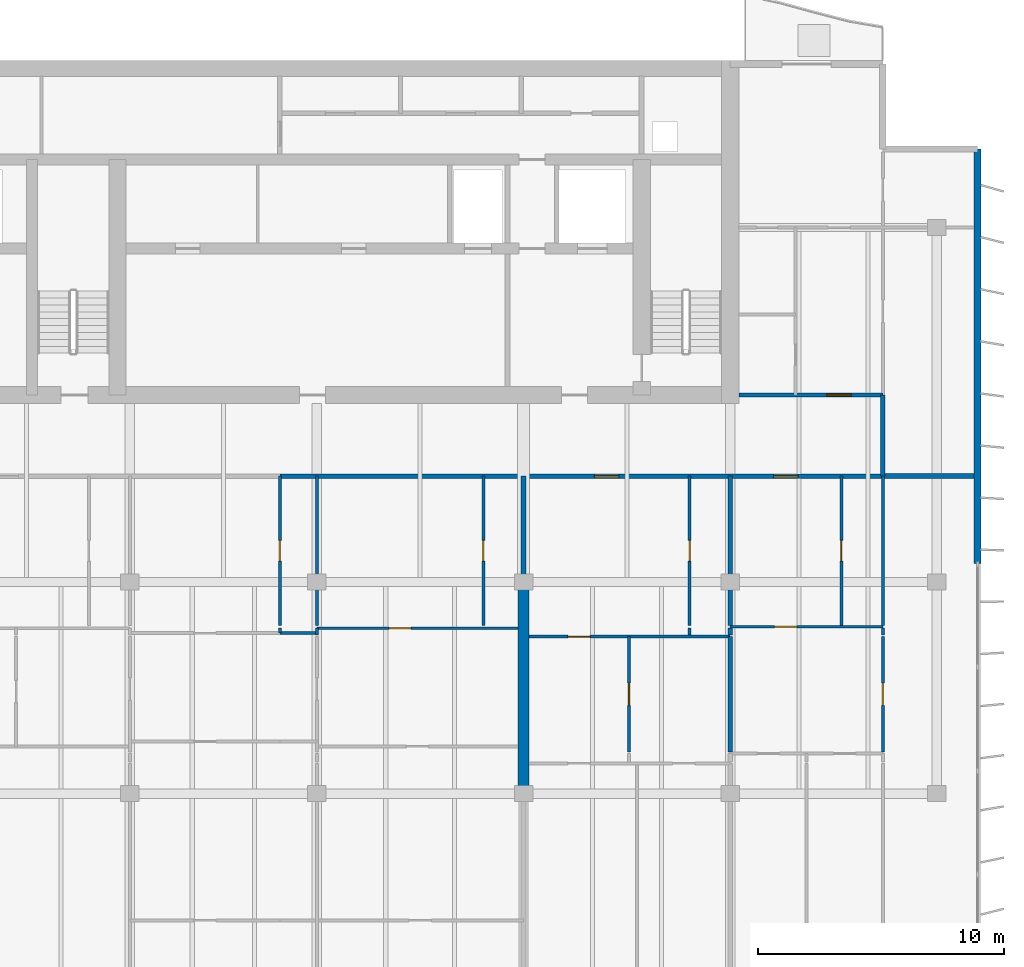
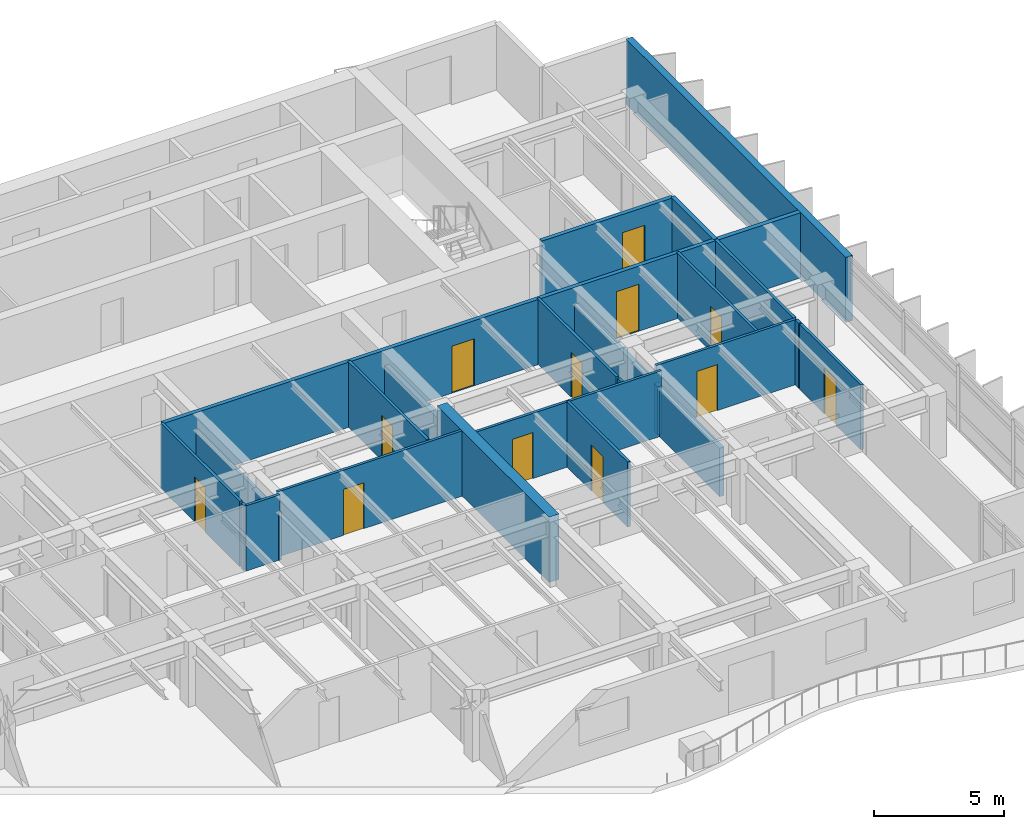
# One storey, part 9 of 17: 26 walls, 12 doors, 12 openings.
"""IFC4 building model written with IfcOpenShell, lengths in metres."""

from ifc_helpers import new_model, si_unit, direction, frame, frame_2d, origin, place, context, subcontext, project, spatial, rectangle, extrude, material, layer, layer_set, type_object, element, fill, save


model = new_model("IFC4")

# Units and contexts
model_context = context("Model", 3, precision=1e-05, world=origin(), true_north=direction((0.0, 1.0)))
body_context = subcontext(model_context, "Body", "Model", "MODEL_VIEW")
ifc_project = project(units=[si_unit("LENGTHUNIT", "METRE"), si_unit("AREAUNIT", "SQUARE_METRE"), si_unit("VOLUMEUNIT", "CUBIC_METRE"), si_unit("PLANEANGLEUNIT", "RADIAN"), si_unit("MASSUNIT", "GRAM", prefix="KILO")], contexts=[model_context])

# Site, building, storey
site_placement = place(None, origin())
site = spatial("IfcSite", under=ifc_project, at=site_placement, CompositionType="ELEMENT")
building_placement = place(site_placement, origin())
building = spatial("IfcBuilding", under=site, at=building_placement, Name="Caelmar Bay Residences", CompositionType="ELEMENT")
storey_placement = place(building_placement, frame((0.0, 0.0, 243.0)))
storey = spatial("IfcBuildingStorey", under=building, at=storey_placement, Name="L68", CompositionType="ELEMENT", Elevation=243.0)

# Walls
ifc_material_1 = material(Name="Concrete f'c 55 MPa (8,000 psi)", Category="concrete")
ifc_layer_1 = layer(ifc_material_1, 0.449951171875)
ifc_layer_set_1 = layer_set([ifc_layer_1], Name="Concrete f'c 55 MPa (8,000 psi)")
wall_type_1 = type_object("IfcWallType", Name="SW-XSLB-450", PredefinedType="SHEAR", material=ifc_layer_set_1)
wall_1_placement = place(storey_placement, frame((51.10009765625, 20.800048828125, 0.0), z_axis=(0.0, 0.0, 1.0), x_axis=(0.0, 1.0, 0.0)))
element("IfcWall", 1, at=wall_1_placement, inside=storey, type_object=wall_type_1, Name="L68 Transverse Cross-Slab Shear Wall E8", PredefinedType="SHEAR", context=body_context, shape_type="SweptSolid", body=[
    extrude(rectangle(XDim=8.599853515625, YDim=0.449951171875, at=frame_2d((4.2998046875, 0.0))), origin(), (0.0, 0.0, 1.0), 3.050048828125),
])
ifc_material_2 = material(Name="Double-stud acoustic fire-rated gypsum partition 180 mm")
ifc_layer_2 = layer(ifc_material_2, 0.179931640625)
ifc_layer_set_2 = layer_set([ifc_layer_2], Name="Double-stud acoustic fire-rated gypsum partition 180 mm")
wall_type_2 = type_object("IfcWallType", Name="W-COR-200", PredefinedType="PARTITIONING", material=ifc_layer_set_2)
wall_2_placement = place(storey_placement, frame((65.699951171875, 33.705078125, 0.0), z_axis=(0.0, 0.0, 1.0), x_axis=(0.0, 1.0, 0.0)))
element("IfcWall", 2, at=wall_2_placement, inside=storey, type_object=wall_type_2, Name="L68 Partition Wall V087", PredefinedType="PARTITIONING", context=body_context, shape_type="SweptSolid", body=[
    extrude(rectangle(XDim=3.294921875, YDim=0.179931640625, at=frame_2d((1.6474609375, 0.0))), origin(), (0.0, 0.0, 1.0), 3.050048828125),
])

# Wall, openings, doors
wall_3_placement = place(storey_placement, frame((41.199951171875, 33.699951171875, 0.0), z_axis=(0.0, 0.0, 1.0), x_axis=(1.0, 0.0, 0.0)))
wall_3 = element("IfcWall", 3, at=wall_3_placement, inside=storey, type_object=wall_type_2, Name="L68 Partition Wall H112", PredefinedType="PARTITIONING", context=body_context, shape_type="SweptSolid", body=[
    extrude(rectangle(XDim=24.5, YDim=0.179931640625, at=frame_2d((12.25, 0.0))), origin(), (0.0, 0.0, 1.0), 3.050048828125),
])
opening_1_placement = place(wall_3_placement, frame((12.77490234375, 0.0, 0.0)))
opening_1 = element("IfcOpeningElement", 4, at=opening_1_placement, cuts=wall_3, Name="Opening D-L68-149", PredefinedType="OPENING", context=body_context, shape_type="SweptSolid", body=[
    extrude(rectangle(XDim=1.0, YDim=2.199951171875, at=frame_2d((0.5, 1.10009765625))), frame((0.0, 0.099853515625, 0.0), z_axis=(0.0, -1.0, 0.0), x_axis=(1.0, 0.0, 0.0)), (0.0, 0.0, 1.0), 0.199951171875),
])
opening_2_placement = place(wall_3_placement, frame((20.05859375, 0.0, 0.0)))
opening_2 = element("IfcOpeningElement", 5, at=opening_2_placement, cuts=wall_3, Name="Opening D-L68-155", PredefinedType="OPENING", context=body_context, shape_type="SweptSolid", body=[
    extrude(rectangle(XDim=1.0, YDim=2.199951171875, at=frame_2d((0.5, 1.10009765625))), frame((0.0, 0.099853515625, 0.0), z_axis=(0.0, -1.0, 0.0), x_axis=(1.0, 0.0, 0.0)), (0.0, 0.0, 1.0), 0.199951171875),
])
ifc_material_3 = material(Name="Fire-rated steel and walnut architectural door assembly", Category="steel")
ifc_layer_3 = layer(ifc_material_3, 0.050048828125)
ifc_layer_set_3 = layer_set([ifc_layer_3], Name="Fire-rated steel and walnut architectural door assembly")
door_type_1 = type_object("IfcDoorType", Name="D-UNIT-1000", OperationType="NOTDEFINED", PredefinedType="DOOR", material=ifc_layer_set_3)
door_1_placement = place(opening_1_placement, origin())
door_1 = element("IfcDoor", 6, at=door_1_placement, inside=storey, type_object=door_type_1, Name="L68 Residence 04 Apartment Hall Door", OperationType="SINGLE_SWING_LEFT", OverallHeight=2.199951171875, OverallWidth=1.0, PredefinedType="DOOR", context=body_context, shape_type="SweptSolid", body=[
    extrude(rectangle(XDim=1.0, YDim=2.199951171875, at=frame_2d((0.5, 1.10009765625))), frame((0.0, 0.02490234375, 0.0), z_axis=(0.0, -1.0, 0.0), x_axis=(1.0, 0.0, 0.0)), (0.0, 0.0, 1.0), 0.050048828125),
])
fill(opening_1, door_1)
door_2_placement = place(opening_2_placement, origin())
door_2 = element("IfcDoor", 7, at=door_2_placement, inside=storey, type_object=door_type_1, Name="L68 Residence 05 Apartment Hall Door", OperationType="SINGLE_SWING_LEFT", OverallHeight=2.199951171875, OverallWidth=1.0, PredefinedType="DOOR", context=body_context, shape_type="SweptSolid", body=[
    extrude(rectangle(XDim=1.0, YDim=2.199951171875, at=frame_2d((0.5, 1.10009765625))), frame((0.0, 0.02490234375, 0.0), z_axis=(0.0, -1.0, 0.0), x_axis=(1.0, 0.0, 0.0)), (0.0, 0.0, 1.0), 0.050048828125),
])
fill(opening_2, door_2)

# Wall, opening, door
wall_4_placement = place(storey_placement, frame((59.85498046875, 37.0, 0.0), z_axis=(0.0, 0.0, 1.0), x_axis=(1.0, 0.0, 0.0)))
wall_4 = element("IfcWall", 8, at=wall_4_placement, inside=storey, type_object=wall_type_2, Name="L68 Partition Wall H116", PredefinedType="PARTITIONING", context=body_context, shape_type="SweptSolid", body=[
    extrude(rectangle(XDim=5.844970703125, YDim=0.179931640625, at=frame_2d((2.92236328125, 0.0))), origin(), (0.0, 0.0, 1.0), 3.050048828125),
])
opening_3_placement = place(wall_4_placement, frame((3.570068359375, 0.0, 0.0)))
opening_3 = element("IfcOpeningElement", 9, at=opening_3_placement, cuts=wall_4, Name="Opening D-L68-168", PredefinedType="OPENING", context=body_context, shape_type="SweptSolid", body=[
    extrude(rectangle(XDim=1.0, YDim=2.199951171875, at=frame_2d((0.5, 1.10009765625))), frame((0.0, 0.099853515625, 0.0), z_axis=(0.0, -1.0, 0.0), x_axis=(1.0, 0.0, 0.0)), (0.0, 0.0, 1.0), 0.199951171875),
])
door_3_placement = place(opening_3_placement, origin())
door_3 = element("IfcDoor", 10, at=door_3_placement, inside=storey, type_object=door_type_1, Name="L68 Residence EA Kitchen Door", OperationType="SINGLE_SWING_RIGHT", OverallHeight=2.199951171875, OverallWidth=1.0, PredefinedType="DOOR", context=body_context, shape_type="SweptSolid", body=[
    extrude(rectangle(XDim=1.0, YDim=2.199951171875, at=frame_2d((0.5, 1.10009765625))), frame((0.0, 0.02490234375, 0.0), z_axis=(0.0, -1.0, 0.0), x_axis=(1.0, 0.0, 0.0)), (0.0, 0.0, 1.0), 0.050048828125),
])
fill(opening_3, door_3)

# Walls
ifc_material_4 = material(Name="Precast concrete f'c 40 MPa (6,000 psi)", Category="concrete")
ifc_layer_4 = layer(ifc_material_4, 0.300048828125)
ifc_layer_set_4 = layer_set([ifc_layer_4], Name="Precast concrete f'c 40 MPa (6,000 psi)")
wall_type_3 = type_object("IfcWallType", Name="W-EXT-300", PredefinedType="STANDARD", material=ifc_layer_set_4)
wall_5_placement = place(storey_placement, frame((69.550048828125, 47.0, 0.0), z_axis=(0.0, 0.0, 1.0), x_axis=(0.0, -1.0, 0.0)))
element("IfcWall", 11, at=wall_5_placement, inside=storey, type_object=wall_type_3, Name="L68 East Rear Exterior Wall", PredefinedType="STANDARD", context=body_context, shape_type="SweptSolid", body=[
    extrude(rectangle(XDim=16.85009765625, YDim=0.300048828125, at=frame_2d((8.425048828125, 0.0))), origin(), (0.0, 0.0, 1.0), 3.050048828125),
])
ifc_material_5 = material(Name="Acoustic metal-stud gypsum partition 120 mm")
ifc_layer_5 = layer(ifc_material_5, 0.1201171875)
ifc_layer_set_5 = layer_set([ifc_layer_5], Name="Acoustic metal-stud gypsum partition 120 mm")
wall_type_4 = type_object("IfcWallType", Name="W-PRT-120", PredefinedType="PARTITIONING", material=ifc_layer_set_5)
wall_6_placement = place(storey_placement, frame((41.195068359375, 27.320068359375, 0.0), z_axis=(0.0, 0.0, 1.0), x_axis=(0.0, 1.0, 0.0)))
element("IfcWall", 12, at=wall_6_placement, inside=storey, type_object=wall_type_4, Name="L68 Partition Wall V045", PredefinedType="PARTITIONING", context=body_context, shape_type="SweptSolid", body=[
    extrude(rectangle(XDim=0.199951171875, YDim=0.1201171875, at=frame_2d((0.10009765625, 0.0))), origin(), (0.0, 0.0, 1.0), 3.050048828125),
])

# Wall, opening, door
wall_7_placement = place(storey_placement, frame((41.195068359375, 27.639892578125, 0.0), z_axis=(0.0, 0.0, 1.0), x_axis=(0.0, 1.0, 0.0)))
wall_7 = element("IfcWall", 13, at=wall_7_placement, inside=storey, type_object=wall_type_4, Name="L68 Partition Wall V046", PredefinedType="PARTITIONING", context=body_context, shape_type="SweptSolid", body=[
    extrude(rectangle(XDim=6.06005859375, YDim=0.1201171875, at=frame_2d((3.030029296875, 0.0))), origin(), (0.0, 0.0, 1.0), 3.050048828125),
])
opening_4_placement = place(wall_7_placement, frame((2.60498046875, 0.0, 0.0)))
opening_4 = element("IfcOpeningElement", 14, at=opening_4_placement, cuts=wall_7, Name="Opening D-L68-141", PredefinedType="OPENING", context=body_context, shape_type="SweptSolid", body=[
    extrude(rectangle(XDim=0.85009765625, YDim=2.10009765625, at=frame_2d((0.425048828125, 1.050048828125))), frame((0.0, 0.070068359375, 0.0), z_axis=(0.0, -1.0, 0.0), x_axis=(1.0, 0.0, 0.0)), (0.0, 0.0, 1.0), 0.14013671875),
])
ifc_material_6 = material(Name="Solid walnut timber interior door leaf and frame", Category="wood")
ifc_layer_6 = layer(ifc_material_6, 0.050048828125)
ifc_layer_set_6 = layer_set([ifc_layer_6], Name="Solid walnut timber interior door leaf and frame")
door_type_2 = type_object("IfcDoorType", Name="D-BATH-850", OperationType="NOTDEFINED", PredefinedType="DOOR", material=ifc_layer_set_6)
door_4_placement = place(opening_4_placement, origin())
door_4 = element("IfcDoor", 15, at=door_4_placement, inside=storey, type_object=door_type_2, Name="L68 Residence 03 En-Suite Bathroom 1 Door", OperationType="SINGLE_SWING_LEFT", OverallHeight=2.10009765625, OverallWidth=0.85009765625, PredefinedType="DOOR", context=body_context, shape_type="SweptSolid", body=[
    extrude(rectangle(XDim=0.85009765625, YDim=2.10009765625, at=frame_2d((0.425048828125, 1.050048828125))), frame((0.0, 0.02490234375, 0.0), z_axis=(0.0, -1.0, 0.0), x_axis=(1.0, 0.0, 0.0)), (0.0, 0.0, 1.0), 0.050048828125),
])
fill(opening_4, door_4)

# Walls
wall_8_placement = place(storey_placement, frame((42.699951171875, 27.239990234375, 0.0), z_axis=(0.0, 0.0, 1.0), x_axis=(0.0, 1.0, 0.0)))
element("IfcWall", 16, at=wall_8_placement, inside=storey, type_object=wall_type_4, Name="L68 Partition Wall V052", PredefinedType="PARTITIONING", context=body_context, shape_type="SweptSolid", body=[
    extrude(rectangle(XDim=0.280029296875, YDim=0.1201171875, at=frame_2d((0.14013671875, 0.0))), origin(), (0.0, 0.0, 1.0), 2.262939453125),
])
wall_9_placement = place(storey_placement, frame((42.699951171875, 27.639892578125, 0.0), z_axis=(0.0, 0.0, 1.0), x_axis=(0.0, 1.0, 0.0)))
element("IfcWall", 17, at=wall_9_placement, inside=storey, type_object=wall_type_4, Name="L68 Partition Wall V053", PredefinedType="PARTITIONING", context=body_context, shape_type="SweptSolid", body=[
    extrude(rectangle(XDim=6.06005859375, YDim=0.1201171875, at=frame_2d((3.030029296875, 0.0))), origin(), (0.0, 0.0, 1.0), 2.262939453125),
])

# Wall, opening, door
wall_10_placement = place(storey_placement, frame((49.466064453125, 27.639892578125, 0.0), z_axis=(0.0, 0.0, 1.0), x_axis=(0.0, 1.0, 0.0)))
wall_10 = element("IfcWall", 18, at=wall_10_placement, inside=storey, type_object=wall_type_4, Name="L68 Partition Wall V056", PredefinedType="PARTITIONING", context=body_context, shape_type="SweptSolid", body=[
    extrude(rectangle(XDim=6.06005859375, YDim=0.1201171875, at=frame_2d((3.030029296875, 0.0))), origin(), (0.0, 0.0, 1.0), 3.050048828125),
])
opening_5_placement = place(wall_10_placement, frame((2.60498046875, 0.0, 0.0)))
opening_5 = element("IfcOpeningElement", 19, at=opening_5_placement, cuts=wall_10, Name="Opening D-L68-146", PredefinedType="OPENING", context=body_context, shape_type="SweptSolid", body=[
    extrude(rectangle(XDim=0.85009765625, YDim=2.10009765625, at=frame_2d((0.425048828125, 1.050048828125))), frame((0.0, 0.070068359375, 0.0), z_axis=(0.0, -1.0, 0.0), x_axis=(1.0, 0.0, 0.0)), (0.0, 0.0, 1.0), 0.14013671875),
])
door_5_placement = place(opening_5_placement, origin())
door_5 = element("IfcDoor", 20, at=door_5_placement, inside=storey, type_object=door_type_2, Name="L68 Residence 03 En-Suite Bathroom 2 Door", OperationType="SINGLE_SWING_RIGHT", OverallHeight=2.10009765625, OverallWidth=0.85009765625, PredefinedType="DOOR", context=body_context, shape_type="SweptSolid", body=[
    extrude(rectangle(XDim=0.85009765625, YDim=2.10009765625, at=frame_2d((0.425048828125, 1.050048828125))), frame((0.0, 0.02490234375, 0.0), z_axis=(0.0, -1.0, 0.0), x_axis=(1.0, 0.0, 0.0)), (0.0, 0.0, 1.0), 0.050048828125),
])
fill(opening_5, door_5)

wall_11_placement = place(storey_placement, frame((55.385986328125, 22.489990234375, 0.0), z_axis=(0.0, 0.0, 1.0), x_axis=(0.0, 1.0, 0.0)))
wall_11 = element("IfcWall", 21, at=wall_11_placement, inside=storey, type_object=wall_type_4, Name="L68 Partition Wall V065", PredefinedType="PARTITIONING", context=body_context, shape_type="SweptSolid", body=[
    extrude(rectangle(XDim=4.68994140625, YDim=0.1201171875, at=frame_2d((2.344970703125, 0.0))), origin(), (0.0, 0.0, 1.0), 3.050048828125),
])
opening_6_placement = place(wall_11_placement, frame((1.89501953125, 0.0, 0.0)))
opening_6 = element("IfcOpeningElement", 22, at=opening_6_placement, cuts=wall_11, Name="Opening D-L68-152", PredefinedType="OPENING", context=body_context, shape_type="SweptSolid", body=[
    extrude(rectangle(XDim=0.89990234375, YDim=2.14990234375, at=frame_2d((0.449951171875, 1.074951171875))), frame((0.0, 0.070068359375, 0.0), z_axis=(0.0, -1.0, 0.0), x_axis=(1.0, 0.0, 0.0)), (0.0, 0.0, 1.0), 0.14013671875),
])
ifc_layer_7 = layer(ifc_material_6, 0.050048828125)
ifc_layer_set_7 = layer_set([ifc_layer_7], Name="Solid walnut timber interior door leaf and frame")
door_type_3 = type_object("IfcDoorType", Name="D-ROOM-900", OperationType="NOTDEFINED", PredefinedType="DOOR", material=ifc_layer_set_7)
door_6_placement = place(opening_6_placement, origin())
door_6 = element("IfcDoor", 23, at=door_6_placement, inside=storey, type_object=door_type_3, Name="L68 Residence 04 Formal Dining Room Door", OperationType="SINGLE_SWING_RIGHT", OverallHeight=2.14990234375, OverallWidth=0.89990234375, PredefinedType="DOOR", context=body_context, shape_type="SweptSolid", body=[
    extrude(rectangle(XDim=0.89990234375, YDim=2.14990234375, at=frame_2d((0.449951171875, 1.074951171875))), frame((0.0, 0.02490234375, 0.0), z_axis=(0.0, -1.0, 0.0), x_axis=(1.0, 0.0, 0.0)), (0.0, 0.0, 1.0), 0.050048828125),
])
fill(opening_6, door_6)

# Wall
wall_12_placement = place(storey_placement, frame((57.85009765625, 27.239990234375, 0.0), z_axis=(0.0, 0.0, 1.0), x_axis=(0.0, 1.0, 0.0)))
element("IfcWall", 24, at=wall_12_placement, inside=storey, type_object=wall_type_4, Name="L68 Partition Wall V069", PredefinedType="PARTITIONING", context=body_context, shape_type="SweptSolid", body=[
    extrude(rectangle(XDim=0.280029296875, YDim=0.1201171875, at=frame_2d((0.14013671875, 0.0))), origin(), (0.0, 0.0, 1.0), 3.050048828125),
])

# Wall, opening, door
wall_13_placement = place(storey_placement, frame((57.85009765625, 27.639892578125, 0.0), z_axis=(0.0, 0.0, 1.0), x_axis=(0.0, 1.0, 0.0)))
wall_13 = element("IfcWall", 25, at=wall_13_placement, inside=storey, type_object=wall_type_4, Name="L68 Partition Wall V070", PredefinedType="PARTITIONING", context=body_context, shape_type="SweptSolid", body=[
    extrude(rectangle(XDim=6.06005859375, YDim=0.1201171875, at=frame_2d((3.030029296875, 0.0))), origin(), (0.0, 0.0, 1.0), 3.050048828125),
])
opening_7_placement = place(wall_13_placement, frame((2.60498046875, 0.0, 0.0)))
opening_7 = element("IfcOpeningElement", 26, at=opening_7_placement, cuts=wall_13, Name="Opening D-L68-150", PredefinedType="OPENING", context=body_context, shape_type="SweptSolid", body=[
    extrude(rectangle(XDim=0.85009765625, YDim=2.10009765625, at=frame_2d((0.425048828125, 1.050048828125))), frame((0.0, 0.070068359375, 0.0), z_axis=(0.0, -1.0, 0.0), x_axis=(1.0, 0.0, 0.0)), (0.0, 0.0, 1.0), 0.14013671875),
])
door_7_placement = place(opening_7_placement, origin())
door_7 = element("IfcDoor", 27, at=door_7_placement, inside=storey, type_object=door_type_2, Name="L68 Residence 04 Bathroom Door", OperationType="SINGLE_SWING_RIGHT", OverallHeight=2.10009765625, OverallWidth=0.85009765625, PredefinedType="DOOR", context=body_context, shape_type="SweptSolid", body=[
    extrude(rectangle(XDim=0.85009765625, YDim=2.10009765625, at=frame_2d((0.425048828125, 1.050048828125))), frame((0.0, 0.02490234375, 0.0), z_axis=(0.0, -1.0, 0.0), x_axis=(1.0, 0.0, 0.0)), (0.0, 0.0, 1.0), 0.050048828125),
])
fill(opening_7, door_7)

wall_14_placement = place(storey_placement, frame((64.01708984375, 27.639892578125, 0.0), z_axis=(0.0, 0.0, 1.0), x_axis=(0.0, 1.0, 0.0)))
wall_14 = element("IfcWall", 28, at=wall_14_placement, inside=storey, type_object=wall_type_4, Name="L68 Partition Wall V081", PredefinedType="PARTITIONING", context=body_context, shape_type="SweptSolid", body=[
    extrude(rectangle(XDim=6.06005859375, YDim=0.1201171875, at=frame_2d((3.030029296875, 0.0))), origin(), (0.0, 0.0, 1.0), 3.050048828125),
])
opening_8_placement = place(wall_14_placement, frame((2.60498046875, 0.0, 0.0)))
opening_8 = element("IfcOpeningElement", 29, at=opening_8_placement, cuts=wall_14, Name="Opening D-L68-156", PredefinedType="OPENING", context=body_context, shape_type="SweptSolid", body=[
    extrude(rectangle(XDim=0.85009765625, YDim=2.10009765625, at=frame_2d((0.425048828125, 1.050048828125))), frame((0.0, 0.070068359375, 0.0), z_axis=(0.0, -1.0, 0.0), x_axis=(1.0, 0.0, 0.0)), (0.0, 0.0, 1.0), 0.14013671875),
])
door_8_placement = place(opening_8_placement, origin())
door_8 = element("IfcDoor", 30, at=door_8_placement, inside=storey, type_object=door_type_2, Name="L68 Residence 05 Bathroom Door", OperationType="SINGLE_SWING_RIGHT", OverallHeight=2.10009765625, OverallWidth=0.85009765625, PredefinedType="DOOR", context=body_context, shape_type="SweptSolid", body=[
    extrude(rectangle(XDim=0.85009765625, YDim=2.10009765625, at=frame_2d((0.425048828125, 1.050048828125))), frame((0.0, 0.02490234375, 0.0), z_axis=(0.0, -1.0, 0.0), x_axis=(1.0, 0.0, 0.0)), (0.0, 0.0, 1.0), 0.050048828125),
])
fill(opening_8, door_8)

wall_15_placement = place(storey_placement, frame((65.699951171875, 22.489990234375, 0.0), z_axis=(0.0, 0.0, 1.0), x_axis=(0.0, 1.0, 0.0)))
wall_15 = element("IfcWall", 31, at=wall_15_placement, inside=storey, type_object=wall_type_4, Name="L68 Partition Wall V084", PredefinedType="PARTITIONING", context=body_context, shape_type="SweptSolid", body=[
    extrude(rectangle(XDim=4.68994140625, YDim=0.1201171875, at=frame_2d((2.344970703125, 0.0))), origin(), (0.0, 0.0, 1.0), 3.050048828125),
])
opening_9_placement = place(wall_15_placement, frame((1.89501953125, 0.0, 0.0)))
opening_9 = element("IfcOpeningElement", 32, at=opening_9_placement, cuts=wall_15, Name="Opening D-L68-161", PredefinedType="OPENING", context=body_context, shape_type="SweptSolid", body=[
    extrude(rectangle(XDim=0.89990234375, YDim=2.14990234375, at=frame_2d((0.449951171875, 1.074951171875))), frame((0.0, 0.070068359375, 0.0), z_axis=(0.0, -1.0, 0.0), x_axis=(1.0, 0.0, 0.0)), (0.0, 0.0, 1.0), 0.14013671875),
])
door_9_placement = place(opening_9_placement, origin())
door_9 = element("IfcDoor", 33, at=door_9_placement, inside=storey, type_object=door_type_3, Name="L68 Residence 05 Penthouse East Salon Door", OperationType="SINGLE_SWING_LEFT", OverallHeight=2.14990234375, OverallWidth=0.89990234375, PredefinedType="DOOR", context=body_context, shape_type="SweptSolid", body=[
    extrude(rectangle(XDim=0.89990234375, YDim=2.14990234375, at=frame_2d((0.449951171875, 1.074951171875))), frame((0.0, 0.02490234375, 0.0), z_axis=(0.0, -1.0, 0.0), x_axis=(1.0, 0.0, 0.0)), (0.0, 0.0, 1.0), 0.050048828125),
])
fill(opening_9, door_9)

# Walls
wall_16_placement = place(storey_placement, frame((65.699951171875, 27.239990234375, 0.0), z_axis=(0.0, 0.0, 1.0), x_axis=(0.0, 1.0, 0.0)))
element("IfcWall", 34, at=wall_16_placement, inside=storey, type_object=wall_type_4, Name="L68 Partition Wall V085", PredefinedType="PARTITIONING", context=body_context, shape_type="SweptSolid", body=[
    extrude(rectangle(XDim=0.280029296875, YDim=0.1201171875, at=frame_2d((0.14013671875, 0.0))), origin(), (0.0, 0.0, 1.0), 3.050048828125),
])
wall_17_placement = place(storey_placement, frame((65.699951171875, 27.639892578125, 0.0), z_axis=(0.0, 0.0, 1.0), x_axis=(0.0, 1.0, 0.0)))
element("IfcWall", 35, at=wall_17_placement, inside=storey, type_object=wall_type_4, Name="L68 Partition Wall V086", PredefinedType="PARTITIONING", context=body_context, shape_type="SweptSolid", body=[
    extrude(rectangle(XDim=6.06005859375, YDim=0.1201171875, at=frame_2d((3.030029296875, 0.0))), origin(), (0.0, 0.0, 1.0), 3.050048828125),
])

# Wall, opening, door
wall_18_placement = place(storey_placement, frame((51.320068359375, 27.179931640625, 0.0), z_axis=(0.0, 0.0, 1.0), x_axis=(1.0, 0.0, 0.0)))
wall_18 = element("IfcWall", 36, at=wall_18_placement, inside=storey, type_object=wall_type_4, Name="L68 Partition Wall H100", PredefinedType="PARTITIONING", context=body_context, shape_type="SweptSolid", body=[
    extrude(rectangle(XDim=8.179931640625, YDim=0.1201171875, at=frame_2d((4.08984375, 0.0))), origin(), (0.0, 0.0, 1.0), 3.050048828125),
])
opening_10_placement = place(wall_18_placement, frame((1.5830078125, 0.0, 0.0)))
opening_10 = element("IfcOpeningElement", 37, at=opening_10_placement, cuts=wall_18, Name="Opening D-L68-151", PredefinedType="OPENING", context=body_context, shape_type="SweptSolid", body=[
    extrude(rectangle(XDim=0.89990234375, YDim=2.14990234375, at=frame_2d((0.449951171875, 1.074951171875))), frame((0.0, 0.070068359375, 0.0), z_axis=(0.0, -1.0, 0.0), x_axis=(1.0, 0.0, 0.0)), (0.0, 0.0, 1.0), 0.14013671875),
])
door_10_placement = place(opening_10_placement, origin())
door_10 = element("IfcDoor", 38, at=door_10_placement, inside=storey, type_object=door_type_3, Name="L68 Residence 04 Kitchen Door", OperationType="SINGLE_SWING_LEFT", OverallHeight=2.14990234375, OverallWidth=0.89990234375, PredefinedType="DOOR", context=body_context, shape_type="SweptSolid", body=[
    extrude(rectangle(XDim=0.89990234375, YDim=2.14990234375, at=frame_2d((0.449951171875, 1.074951171875))), frame((0.0, 0.02490234375, 0.0), z_axis=(0.0, -1.0, 0.0), x_axis=(1.0, 0.0, 0.0)), (0.0, 0.0, 1.0), 0.050048828125),
])
fill(opening_10, door_10)

# Wall
wall_19_placement = place(storey_placement, frame((41.199951171875, 27.320068359375, 0.0), z_axis=(0.0, 0.0, 1.0), x_axis=(1.0, 0.0, 0.0)))
element("IfcWall", 39, at=wall_19_placement, inside=storey, type_object=wall_type_4, Name="L68 Partition Wall H103", PredefinedType="PARTITIONING", context=body_context, shape_type="SweptSolid", body=[
    extrude(rectangle(XDim=1.5, YDim=0.1201171875, at=frame_2d((0.75, 0.0))), origin(), (0.0, 0.0, 1.0), 3.050048828125),
])

# Wall, opening, door
wall_20_placement = place(storey_placement, frame((42.705078125, 27.52001953125, 0.0), z_axis=(0.0, 0.0, 1.0), x_axis=(1.0, 0.0, 0.0)))
wall_20 = element("IfcWall", 40, at=wall_20_placement, inside=storey, type_object=wall_type_4, Name="L68 Partition Wall H105", PredefinedType="PARTITIONING", context=body_context, shape_type="SweptSolid", body=[
    extrude(rectangle(XDim=8.1748046875, YDim=0.1201171875, at=frame_2d((4.08740234375, 0.0))), origin(), (0.0, 0.0, 1.0), 3.050048828125),
])
opening_11_placement = place(wall_20_placement, frame((2.930419921875, 0.0, 0.0)))
opening_11 = element("IfcOpeningElement", 41, at=opening_11_placement, cuts=wall_20, Name="Opening D-L68-145", PredefinedType="OPENING", context=body_context, shape_type="SweptSolid", body=[
    extrude(rectangle(XDim=0.89990234375, YDim=2.14990234375, at=frame_2d((0.449951171875, 1.074951171875))), frame((0.0, 0.070068359375, 0.0), z_axis=(0.0, -1.0, 0.0), x_axis=(1.0, 0.0, 0.0)), (0.0, 0.0, 1.0), 0.14013671875),
])
door_11_placement = place(opening_11_placement, origin())
door_11 = element("IfcDoor", 42, at=door_11_placement, inside=storey, type_object=door_type_3, Name="L68 Residence 03 Breakfast Dining Room 2 Door", OperationType="SINGLE_SWING_LEFT", OverallHeight=2.14990234375, OverallWidth=0.89990234375, PredefinedType="DOOR", context=body_context, shape_type="SweptSolid", body=[
    extrude(rectangle(XDim=0.89990234375, YDim=2.14990234375, at=frame_2d((0.449951171875, 1.074951171875))), frame((0.0, 0.02490234375, 0.0), z_axis=(0.0, -1.0, 0.0), x_axis=(1.0, 0.0, 0.0)), (0.0, 0.0, 1.0), 0.050048828125),
])
fill(opening_11, door_11)

wall_21_placement = place(storey_placement, frame((59.5, 27.580078125, 0.0), z_axis=(0.0, 0.0, 1.0), x_axis=(1.0, 0.0, 0.0)))
wall_21 = element("IfcWall", 43, at=wall_21_placement, inside=storey, type_object=wall_type_4, Name="L68 Partition Wall H106", PredefinedType="PARTITIONING", context=body_context, shape_type="SweptSolid", body=[
    extrude(rectangle(XDim=6.199951171875, YDim=0.1201171875, at=frame_2d((3.10009765625, 0.0))), origin(), (0.0, 0.0, 1.0), 3.050048828125),
])
opening_12_placement = place(wall_21_placement, frame((1.80859375, 0.0, 0.0)))
opening_12 = element("IfcOpeningElement", 44, at=opening_12_placement, cuts=wall_21, Name="Opening D-L68-157", PredefinedType="OPENING", context=body_context, shape_type="SweptSolid", body=[
    extrude(rectangle(XDim=0.89990234375, YDim=2.14990234375, at=frame_2d((0.449951171875, 1.074951171875))), frame((0.0, 0.070068359375, 0.0), z_axis=(0.0, -1.0, 0.0), x_axis=(1.0, 0.0, 0.0)), (0.0, 0.0, 1.0), 0.14013671875),
])
door_12_placement = place(opening_12_placement, origin())
door_12 = element("IfcDoor", 45, at=door_12_placement, inside=storey, type_object=door_type_3, Name="L68 Residence 05 Kitchen Door", OperationType="SINGLE_SWING_LEFT", OverallHeight=2.14990234375, OverallWidth=0.89990234375, PredefinedType="DOOR", context=body_context, shape_type="SweptSolid", body=[
    extrude(rectangle(XDim=0.89990234375, YDim=2.14990234375, at=frame_2d((0.449951171875, 1.074951171875))), frame((0.0, 0.02490234375, 0.0), z_axis=(0.0, -1.0, 0.0), x_axis=(1.0, 0.0, 0.0)), (0.0, 0.0, 1.0), 0.050048828125),
])
fill(opening_12, door_12)

# Walls
ifc_material_7 = material(Name="Acoustic twin-stud fire-rated inter-tenancy partition 200 mm")
ifc_layer_8 = layer(ifc_material_7, 0.199951171875)
ifc_layer_set_8 = layer_set([ifc_layer_8], Name="Acoustic twin-stud fire-rated inter-tenancy partition 200 mm")
wall_type_5 = type_object("IfcWallType", Name="W-PTY-200", PredefinedType="PARTITIONING", material=ifc_layer_set_8)
wall_22_placement = place(storey_placement, frame((51.10009765625, 29.405029296875, 0.0), z_axis=(0.0, 0.0, 1.0), x_axis=(0.0, 1.0, 0.0)))
element("IfcWall", 46, at=wall_22_placement, inside=storey, type_object=wall_type_5, Name="L68 Partition Wall V062", PredefinedType="PARTITIONING", context=body_context, shape_type="SweptSolid", body=[
    extrude(rectangle(XDim=4.294921875, YDim=0.199951171875, at=frame_2d((2.1474609375, 0.0))), origin(), (0.0, 0.0, 1.0), 2.3349609375),
])
wall_23_placement = place(storey_placement, frame((59.5, 22.489990234375, 0.0), z_axis=(0.0, 0.0, 1.0), x_axis=(0.0, 1.0, 0.0)))
element("IfcWall", 47, at=wall_23_placement, inside=storey, type_object=wall_type_5, Name="L68 Partition Wall V074", PredefinedType="PARTITIONING", context=body_context, shape_type="SweptSolid", body=[
    extrude(rectangle(XDim=4.68994140625, YDim=0.199951171875, at=frame_2d((2.344970703125, 0.0))), origin(), (0.0, 0.0, 1.0), 2.262939453125),
])
wall_24_placement = place(storey_placement, frame((59.5, 27.239990234375, 0.0), z_axis=(0.0, 0.0, 1.0), x_axis=(0.0, 1.0, 0.0)))
element("IfcWall", 48, at=wall_24_placement, inside=storey, type_object=wall_type_5, Name="L68 Partition Wall V075", PredefinedType="PARTITIONING", context=body_context, shape_type="SweptSolid", body=[
    extrude(rectangle(XDim=0.280029296875, YDim=0.199951171875, at=frame_2d((0.14013671875, 0.0))), origin(), (0.0, 0.0, 1.0), 2.262939453125),
])
wall_25_placement = place(storey_placement, frame((59.5, 27.639892578125, 0.0), z_axis=(0.0, 0.0, 1.0), x_axis=(0.0, 1.0, 0.0)))
element("IfcWall", 49, at=wall_25_placement, inside=storey, type_object=wall_type_5, Name="L68 Partition Wall V076", PredefinedType="PARTITIONING", context=body_context, shape_type="SweptSolid", body=[
    extrude(rectangle(XDim=6.06005859375, YDim=0.199951171875, at=frame_2d((3.030029296875, 0.0))), origin(), (0.0, 0.0, 1.0), 2.262939453125),
])
wall_26_placement = place(storey_placement, frame((65.705078125, 33.699951171875, 0.0), z_axis=(0.0, 0.0, 1.0), x_axis=(1.0, 0.0, 0.0)))
element("IfcWall", 50, at=wall_26_placement, inside=storey, type_object=wall_type_5, Name="L68 Partition Wall H113", PredefinedType="PARTITIONING", context=body_context, shape_type="SweptSolid", body=[
    extrude(rectangle(XDim=3.699951171875, YDim=0.199951171875, at=frame_2d((1.85009765625, 0.0))), origin(), (0.0, 0.0, 1.0), 3.050048828125),
])

save(model, "model.ifc")
